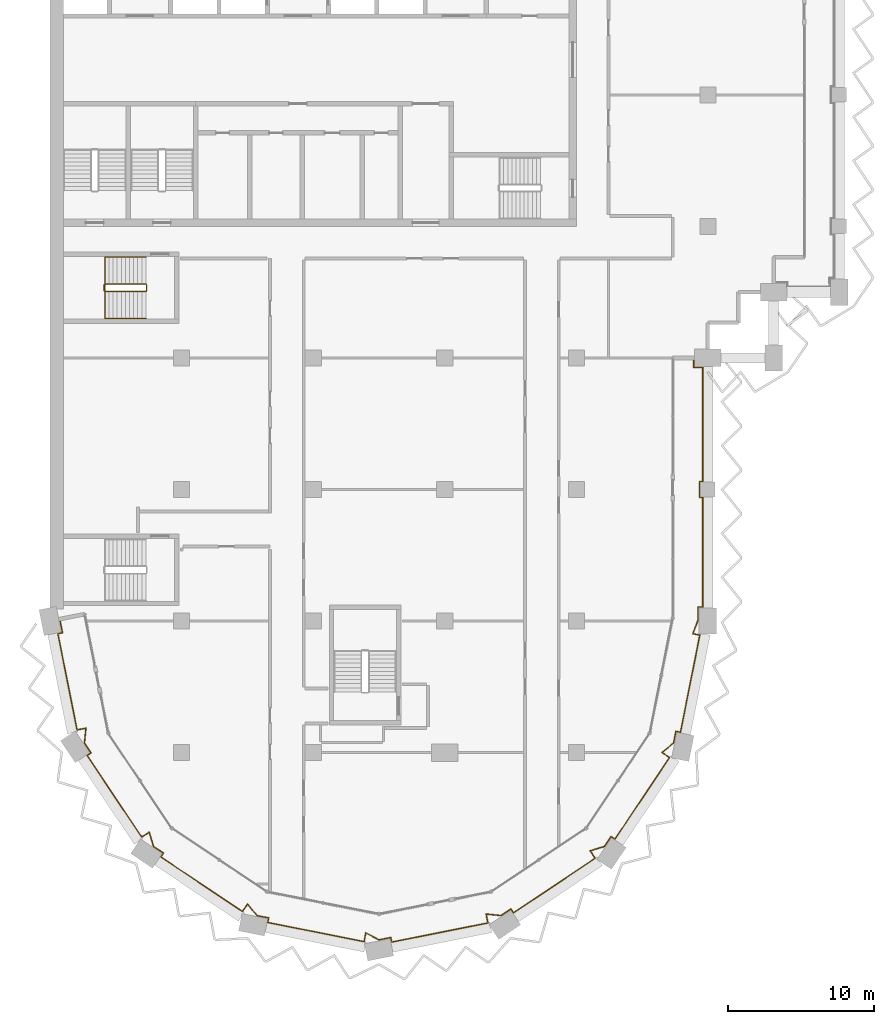
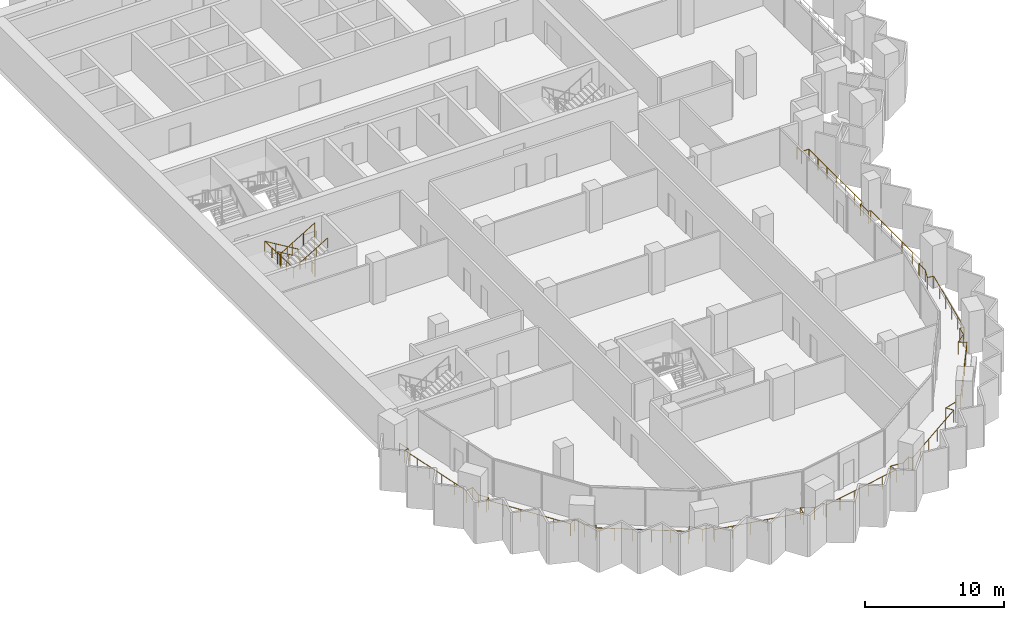
# One storey, part 15 of 17: 3 railings.
"""IFC4 building model written with IfcOpenShell, lengths in metres."""

from ifc_helpers import new_model, si_unit, direction, frame, origin, origin_2d, place, context, subcontext, project, spatial, circle, extrude, material, type_object, element, save


model = new_model("IFC4")

# Units and contexts
model_context = context("Model", 3, precision=1e-05, world=origin(), true_north=direction((0.0, 1.0)))
body_context = subcontext(model_context, "Body", "Model", "MODEL_VIEW")
ifc_project = project(units=[si_unit("LENGTHUNIT", "METRE"), si_unit("AREAUNIT", "SQUARE_METRE"), si_unit("VOLUMEUNIT", "CUBIC_METRE"), si_unit("PLANEANGLEUNIT", "RADIAN"), si_unit("MASSUNIT", "GRAM", prefix="KILO")], contexts=[model_context])

# Site, building, storey
site_placement = place(None, origin())
site = spatial("IfcSite", under=ifc_project, at=site_placement, CompositionType="ELEMENT")
building_placement = place(site_placement, origin())
building = spatial("IfcBuilding", under=site, at=building_placement, Name="Hunhe Ridgeline Campus", CompositionType="ELEMENT")
storey_placement = place(building_placement, frame((0.0, 0.0, 186.5)))
storey = spatial("IfcBuildingStorey", under=building, at=storey_placement, Name="L47", CompositionType="ELEMENT", Elevation=186.5)

# Railings
ifc_material_1 = material(Name="Steel Q355", Category="steel")
railing_type_1 = type_object("IfcRailingType", Name="Loggia guard 1100 Steel Q355", PredefinedType="GUARDRAIL", material=ifc_material_1)
railing_1_placement = place(storey_placement, frame((0.6572265625, 36.130615234375, 0.0)))
element("IfcRailing", 1, at=railing_1_placement, inside=storey, type_object=railing_type_1, Name="Loggia guard 1", PredefinedType="GUARDRAIL", context=body_context, shape_type="SweptSolid", body=[
    extrude(circle(Radius=0.02392578125, at=origin_2d()), frame((0.0, 0.0, 1.076171875), z_axis=(0.195078060519, -0.980787719287, 0.0), x_axis=(0.980787719287, 0.195078060519, 0.0)), (0.0, 0.0, 1.0), 0.949951171875),
    extrude(circle(Radius=0.02392578125, at=origin_2d()), frame((0.185302734375, -0.931640625, 1.076171875), z_axis=(-0.980756274917, -0.195236085831, 0.0), x_axis=(0.195236085831, -0.980756274917, 0.0)), (0.0, 0.0, 1.0), 0.320068359375),
    extrude(circle(Radius=0.02392578125, at=origin_2d()), frame((-0.128662109375, -0.994140625, 1.076171875), z_axis=(0.195081688297, -0.980786997717, 0.0), x_axis=(0.980786997717, 0.195081688297, 0.0)), (0.0, 0.0, 1.0), 6.718017578125),
    extrude(circle(Radius=0.02392578125, at=origin_2d()), frame((1.181884765625, -7.5830078125, 1.076171875), z_axis=(0.980747227858, 0.195281527671, 0.0), x_axis=(-0.195281527671, 0.980747227858, 0.0)), (0.0, 0.0, 1.0), 0.618896484375),
    extrude(circle(Radius=0.02392578125, at=origin_2d()), frame((1.788818359375, -7.462158203125, 1.076171875), z_axis=(-0.100047453171, -0.99498266674, 0.0), x_axis=(0.99498266674, -0.100047453171, 0.0)), (0.0, 0.0, 1.0), 1.0224609375),
    extrude(circle(Radius=0.02392578125, at=origin_2d()), frame((1.6865234375, -8.4794921875, 1.076171875), z_axis=(0.555596479569, -0.83145207432, 0.0), x_axis=(0.83145207432, 0.555596479569, 0.0)), (0.0, 0.0, 1.0), 0.81689453125),
    extrude(circle(Radius=0.02392578125, at=origin_2d()), frame((2.140380859375, -9.15869140625, 1.076171875), z_axis=(-0.831580508376, -0.555404229448, 0.0), x_axis=(0.555404229448, -0.831580508376, 0.0)), (0.0, 0.0, 1.0), 0.320068359375),
    extrude(circle(Radius=0.02392578125, at=origin_2d()), frame((1.874267578125, -9.33642578125, 1.076171875), z_axis=(0.555588848626, -0.831457173451, 0.0), x_axis=(0.831457173451, 0.555588848626, 0.0)), (0.0, 0.0, 1.0), 6.718017578125),
    extrude(circle(Radius=0.02392578125, at=origin_2d()), frame((5.606689453125, -14.922119140625, 1.076171875), z_axis=(0.831442704119, 0.555610501851, 0.0), x_axis=(-0.555610501851, 0.831442704119, 0.0)), (0.0, 0.0, 1.0), 0.61865234375),
    extrude(circle(Radius=0.02392578125, at=origin_2d()), frame((6.12109375, -14.578369140625, 1.076171875), z_axis=(0.28844300651, -0.957497066312, 0.0), x_axis=(0.957497066312, 0.28844300651, 0.0)), (0.0, 0.0, 1.0), 1.0224609375),
    extrude(circle(Radius=0.02392578125, at=origin_2d()), frame((6.416015625, -15.557373046875, 1.076171875), z_axis=(0.831359782977, -0.55573456906, 0.0), x_axis=(0.55573456906, 0.831359782977, 0.0)), (0.0, 0.0, 1.0), 0.816650390625),
    extrude(circle(Radius=0.02392578125, at=origin_2d()), frame((7.094970703125, -16.01123046875, 1.076171875), z_axis=(-0.555404229448, -0.831580508376, 0.0), x_axis=(0.831580508376, -0.555404229448, 0.0)), (0.0, 0.0, 1.0), 0.320068359375),
    extrude(circle(Radius=0.02392578125, at=origin_2d()), frame((6.917236328125, -16.27734375, 1.076171875), z_axis=(0.831473961305, -0.555563724222, 0.0), x_axis=(0.555563724222, 0.831473961305, 0.0)), (0.0, 0.0, 1.0), 6.7177734375),
    extrude(circle(Radius=0.02392578125, at=origin_2d()), frame((12.5029296875, -20.009521484375, 1.076171875), z_axis=(0.555610501851, 0.831442704119, 0.0), x_axis=(-0.831442704119, 0.555610501851, 0.0)), (0.0, 0.0, 1.0), 0.61865234375),
    extrude(circle(Radius=0.02392578125, at=origin_2d()), frame((12.8466796875, -19.4951171875, 1.076171875), z_axis=(0.63289971186, -0.774233785576, 0.0), x_axis=(0.774233785576, 0.63289971186, 0.0)), (0.0, 0.0, 1.0), 1.022705078125),
    extrude(circle(Radius=0.02392578125, at=origin_2d()), frame((13.493896484375, -20.286865234375, 1.076171875), z_axis=(0.980821383877, -0.194908729743, 0.0), x_axis=(0.194908729743, 0.980821383877, 0.0)), (0.0, 0.0, 1.0), 0.816650390625),
    extrude(circle(Radius=0.02392578125, at=origin_2d()), frame((14.294921875, -20.446044921875, 1.076171875), z_axis=(-0.195236085831, -0.980756274917, 0.0), x_axis=(0.980756274917, -0.195236085831, 0.0)), (0.0, 0.0, 1.0), 0.320068359375),
    extrude(circle(Radius=0.02392578125, at=origin_2d()), frame((14.232421875, -20.760009765625, 1.076171875), z_axis=(0.980786997717, -0.195081688297, 0.0), x_axis=(0.195081688297, 0.980786997717, 0.0)), (0.0, 0.0, 1.0), 6.718017578125),
    extrude(circle(Radius=0.02392578125, at=origin_2d()), frame((20.8212890625, -22.070556640625, 1.076171875), z_axis=(0.194902020226, 0.980822717168, 0.0), x_axis=(-0.980822717168, 0.194902020226, 0.0)), (0.0, 0.0, 1.0), 0.618896484375),
    extrude(circle(Radius=0.02392578125, at=origin_2d()), frame((20.94189453125, -21.463623046875, 1.076171875), z_axis=(0.880961256043, -0.473188403652, 0.0), x_axis=(0.473188403652, 0.880961256043, 0.0)), (0.0, 0.0, 1.0), 1.022705078125),
    extrude(circle(Radius=0.02392578125, at=origin_2d()), frame((21.8427734375, -21.947509765625, 1.076171875), z_axis=(0.980764196543, 0.195196287822, 0.0), x_axis=(-0.195196287822, 0.980764196543, 0.0)), (0.0, 0.0, 1.0), 0.816650390625),
    extrude(circle(Radius=0.02392578125, at=origin_2d()), frame((22.643798828125, -21.7880859375, 1.076171875), z_axis=(0.195236085831, -0.980756274917, 0.0), x_axis=(0.980756274917, 0.195236085831, 0.0)), (0.0, 0.0, 1.0), 0.320068359375),
    extrude(circle(Radius=0.02392578125, at=origin_2d()), frame((22.706298828125, -22.10205078125, 1.076171875), z_axis=(0.980786997717, 0.195081688297, 0.0), x_axis=(-0.195081688297, 0.980786997717, 0.0)), (0.0, 0.0, 1.0), 6.718017578125),
    extrude(circle(Radius=0.02392578125, at=origin_2d()), frame((29.295166015625, -20.79150390625, 1.076171875), z_axis=(-0.195281527671, 0.980747227858, 0.0), x_axis=(-0.980747227858, -0.195281527671, 0.0)), (0.0, 0.0, 1.0), 0.618896484375),
    extrude(circle(Radius=0.02392578125, at=origin_2d()), frame((29.17431640625, -20.1845703125, 1.076171875), z_axis=(0.99498266674, -0.100047453171, 0.0), x_axis=(0.100047453171, 0.99498266674, 0.0)), (0.0, 0.0, 1.0), 1.0224609375),
    extrude(circle(Radius=0.02392578125, at=origin_2d()), frame((30.191650390625, -20.286865234375, 1.076171875), z_axis=(0.83145207432, 0.555596479569, 0.0), x_axis=(-0.555596479569, 0.83145207432, 0.0)), (0.0, 0.0, 1.0), 0.81689453125),
    extrude(circle(Radius=0.02392578125, at=origin_2d()), frame((30.870849609375, -19.8330078125, 1.076171875), z_axis=(0.555404229448, -0.831580508376, 0.0), x_axis=(0.831580508376, 0.555404229448, 0.0)), (0.0, 0.0, 1.0), 0.320068359375),
    extrude(circle(Radius=0.02392578125, at=origin_2d()), frame((31.048583984375, -20.09912109375, 1.076171875), z_axis=(0.831457173451, 0.555588848626, 0.0), x_axis=(-0.555588848626, 0.831457173451, 0.0)), (0.0, 0.0, 1.0), 6.718017578125),
    extrude(circle(Radius=0.02392578125, at=origin_2d()), frame((36.63427734375, -16.36669921875, 1.076171875), z_axis=(-0.555610501851, 0.831442704119, 0.0), x_axis=(-0.831442704119, -0.555610501851, 0.0)), (0.0, 0.0, 1.0), 0.61865234375),
    extrude(circle(Radius=0.02392578125, at=origin_2d()), frame((36.29052734375, -15.852294921875, 1.076171875), z_axis=(0.957497066312, 0.28844300651, 0.0), x_axis=(-0.28844300651, 0.957497066312, 0.0)), (0.0, 0.0, 1.0), 1.0224609375),
    extrude(circle(Radius=0.02392578125, at=origin_2d()), frame((37.26953125, -15.557373046875, 1.076171875), z_axis=(0.55573456906, 0.831359782977, 0.0), x_axis=(-0.831359782977, 0.55573456906, 0.0)), (0.0, 0.0, 1.0), 0.816650390625),
    extrude(circle(Radius=0.02392578125, at=origin_2d()), frame((37.723388671875, -14.87841796875, 1.076171875), z_axis=(0.831580508376, -0.555404229448, 0.0), x_axis=(0.555404229448, 0.831580508376, 0.0)), (0.0, 0.0, 1.0), 0.320068359375),
    extrude(circle(Radius=0.02392578125, at=origin_2d()), frame((37.989501953125, -15.05615234375, 1.076171875), z_axis=(0.555563724222, 0.831473961305, 0.0), x_axis=(-0.831473961305, 0.555563724222, 0.0)), (0.0, 0.0, 1.0), 6.7177734375),
    extrude(circle(Radius=0.02392578125, at=origin_2d()), frame((41.7216796875, -9.470458984375, 1.076171875), z_axis=(-0.831442704119, 0.555610501851, 0.0), x_axis=(-0.555610501851, -0.831442704119, 0.0)), (0.0, 0.0, 1.0), 0.61865234375),
    extrude(circle(Radius=0.02392578125, at=origin_2d()), frame((41.207275390625, -9.126708984375, 1.076171875), z_axis=(0.774233785576, 0.63289971186, 0.0), x_axis=(-0.63289971186, 0.774233785576, 0.0)), (0.0, 0.0, 1.0), 1.022705078125),
    extrude(circle(Radius=0.02392578125, at=origin_2d()), frame((41.9990234375, -8.4794921875, 1.076171875), z_axis=(0.194908729743, 0.980821383877, 0.0), x_axis=(-0.980821383877, 0.194908729743, 0.0)), (0.0, 0.0, 1.0), 0.816650390625),
    extrude(circle(Radius=0.02392578125, at=origin_2d()), frame((42.158203125, -7.678466796875, 1.076171875), z_axis=(0.980756274917, -0.195236085831, 0.0), x_axis=(0.195236085831, 0.980756274917, 0.0)), (0.0, 0.0, 1.0), 0.320068359375),
    extrude(circle(Radius=0.02392578125, at=origin_2d()), frame((42.47216796875, -7.740966796875, 1.076171875), z_axis=(0.195084106665, 0.980786516693, 0.0), x_axis=(-0.980786516693, 0.195084106665, 0.0)), (0.0, 0.0, 1.0), 6.779296875),
    extrude(circle(Radius=0.02392578125, at=origin_2d()), frame((43.794677734375, -1.092041015625, 1.076171875), z_axis=(-0.980754922768, 0.195242878144, 0.0), x_axis=(-0.195242878144, -0.980754922768, 0.0)), (0.0, 0.0, 1.0), 0.48388671875),
    extrude(circle(Radius=0.02392578125, at=origin_2d()), frame((43.320068359375, -0.99755859375, 1.076171875), z_axis=(0.353724256779, 0.93534974751, 0.0), x_axis=(-0.93534974751, 0.353724256779, 0.0)), (0.0, 0.0, 1.0), 0.997314453125),
    extrude(circle(Radius=0.02392578125, at=origin_2d()), frame((43.6728515625, -0.064697265625, 1.076171875), z_axis=(0.0, 1.0, 0.0), x_axis=(-1.0, 0.0, 0.0)), (0.0, 0.0, 1.0), 0.884033203125),
    extrude(circle(Radius=0.02392578125, at=origin_2d()), frame((43.6728515625, 0.8193359375, 1.076171875), z_axis=(1.0, 0.0, 0.0), x_axis=(0.0, 1.0, 0.0)), (0.0, 0.0, 1.0), 0.31982421875),
    extrude(circle(Radius=0.02392578125, at=origin_2d()), frame((43.99267578125, 0.8193359375, 1.076171875), z_axis=(0.0, 1.0, 0.0), x_axis=(-1.0, 0.0, 0.0)), (0.0, 0.0, 1.0), 7.5),
    extrude(circle(Radius=0.02392578125, at=origin_2d()), frame((43.99267578125, 8.3193359375, 1.076171875), z_axis=(-1.0, 0.0, 0.0), x_axis=(0.0, -1.0, 0.0)), (0.0, 0.0, 1.0), 0.219970703125),
    extrude(circle(Radius=0.02392578125, at=origin_2d()), frame((43.772705078125, 8.3193359375, 1.076171875), z_axis=(0.0, 1.0, 0.0), x_axis=(-1.0, 0.0, 0.0)), (0.0, 0.0, 1.0), 1.10009765625),
    extrude(circle(Radius=0.02392578125, at=origin_2d()), frame((43.772705078125, 9.41943359375, 1.076171875), z_axis=(1.0, 0.0, 0.0), x_axis=(0.0, 1.0, 0.0)), (0.0, 0.0, 1.0), 0.219970703125),
    extrude(circle(Radius=0.02392578125, at=origin_2d()), frame((43.99267578125, 9.41943359375, 1.076171875), z_axis=(0.0, 1.0, 0.0), x_axis=(-1.0, 0.0, 0.0)), (0.0, 0.0, 1.0), 7.800048828125),
    extrude(circle(Radius=0.02392578125, at=origin_2d()), frame((43.99267578125, 17.219482421875, 1.076171875), z_axis=(-1.0, 0.0, 0.0), x_axis=(0.0, -1.0, 0.0)), (0.0, 0.0, 1.0), 0.619873046875),
    extrude(circle(Radius=0.02392578125, at=origin_2d()), frame((43.372802734375, 17.219482421875, 1.076171875), z_axis=(0.0, 1.0, 0.0), x_axis=(-1.0, 0.0, 0.0)), (0.0, 0.0, 1.0), 0.64990234375),
    extrude(circle(Radius=0.02099609375, at=origin_2d()), origin(), (0.0, 0.0, 1.0), 1.052001953125),
    extrude(circle(Radius=0.02099609375, at=origin_2d()), frame((0.185302734375, -0.931640625, 0.0)), (0.0, 0.0, 1.0), 1.052001953125),
    extrude(circle(Radius=0.02099609375, at=origin_2d()), frame((-0.128662109375, -0.994140625, 0.0)), (0.0, 0.0, 1.0), 1.052001953125),
    extrude(circle(Radius=0.02099609375, at=origin_2d()), frame((0.133544921875, -2.31201171875, 0.0)), (0.0, 0.0, 1.0), 1.052001953125),
    extrude(circle(Radius=0.02099609375, at=origin_2d()), frame((0.3955078125, -3.629638671875, 0.0)), (0.0, 0.0, 1.0), 1.052001953125),
    extrude(circle(Radius=0.02099609375, at=origin_2d()), frame((0.65771484375, -4.947509765625, 0.0)), (0.0, 0.0, 1.0), 1.052001953125),
    extrude(circle(Radius=0.02099609375, at=origin_2d()), frame((0.919677734375, -6.26513671875, 0.0)), (0.0, 0.0, 1.0), 1.052001953125),
    extrude(circle(Radius=0.02099609375, at=origin_2d()), frame((1.181884765625, -7.5830078125, 0.0)), (0.0, 0.0, 1.0), 1.052001953125),
    extrude(circle(Radius=0.02099609375, at=origin_2d()), frame((1.788818359375, -7.462158203125, 0.0)), (0.0, 0.0, 1.0), 1.052001953125),
    extrude(circle(Radius=0.02099609375, at=origin_2d()), frame((1.6865234375, -8.4794921875, 0.0)), (0.0, 0.0, 1.0), 1.052001953125),
    extrude(circle(Radius=0.02099609375, at=origin_2d()), frame((2.140380859375, -9.15869140625, 0.0)), (0.0, 0.0, 1.0), 1.052001953125),
    extrude(circle(Radius=0.02099609375, at=origin_2d()), frame((1.874267578125, -9.33642578125, 0.0)), (0.0, 0.0, 1.0), 1.052001953125),
    extrude(circle(Radius=0.02099609375, at=origin_2d()), frame((2.620849609375, -10.45361328125, 0.0)), (0.0, 0.0, 1.0), 1.052001953125),
    extrude(circle(Radius=0.02099609375, at=origin_2d()), frame((3.3671875, -11.57080078125, 0.0)), (0.0, 0.0, 1.0), 1.052001953125),
    extrude(circle(Radius=0.02099609375, at=origin_2d()), frame((4.11376953125, -12.687744140625, 0.0)), (0.0, 0.0, 1.0), 1.052001953125),
    extrude(circle(Radius=0.02099609375, at=origin_2d()), frame((4.860107421875, -13.804931640625, 0.0)), (0.0, 0.0, 1.0), 1.052001953125),
    extrude(circle(Radius=0.02099609375, at=origin_2d()), frame((5.606689453125, -14.922119140625, 0.0)), (0.0, 0.0, 1.0), 1.052001953125),
    extrude(circle(Radius=0.02099609375, at=origin_2d()), frame((6.12109375, -14.578369140625, 0.0)), (0.0, 0.0, 1.0), 1.052001953125),
    extrude(circle(Radius=0.02099609375, at=origin_2d()), frame((6.416015625, -15.557373046875, 0.0)), (0.0, 0.0, 1.0), 1.052001953125),
    extrude(circle(Radius=0.02099609375, at=origin_2d()), frame((7.094970703125, -16.01123046875, 0.0)), (0.0, 0.0, 1.0), 1.052001953125),
    extrude(circle(Radius=0.02099609375, at=origin_2d()), frame((6.917236328125, -16.27734375, 0.0)), (0.0, 0.0, 1.0), 1.052001953125),
    extrude(circle(Radius=0.02099609375, at=origin_2d()), frame((8.034423828125, -17.023681640625, 0.0)), (0.0, 0.0, 1.0), 1.052001953125),
    extrude(circle(Radius=0.02099609375, at=origin_2d()), frame((9.151611328125, -17.770263671875, 0.0)), (0.0, 0.0, 1.0), 1.052001953125),
    extrude(circle(Radius=0.02099609375, at=origin_2d()), frame((10.2685546875, -18.5166015625, 0.0)), (0.0, 0.0, 1.0), 1.052001953125),
    extrude(circle(Radius=0.02099609375, at=origin_2d()), frame((11.3857421875, -19.26318359375, 0.0)), (0.0, 0.0, 1.0), 1.052001953125),
    extrude(circle(Radius=0.02099609375, at=origin_2d()), frame((12.5029296875, -20.009521484375, 0.0)), (0.0, 0.0, 1.0), 1.052001953125),
    extrude(circle(Radius=0.02099609375, at=origin_2d()), frame((12.8466796875, -19.4951171875, 0.0)), (0.0, 0.0, 1.0), 1.052001953125),
    extrude(circle(Radius=0.02099609375, at=origin_2d()), frame((13.493896484375, -20.286865234375, 0.0)), (0.0, 0.0, 1.0), 1.052001953125),
    extrude(circle(Radius=0.02099609375, at=origin_2d()), frame((14.294921875, -20.446044921875, 0.0)), (0.0, 0.0, 1.0), 1.052001953125),
    extrude(circle(Radius=0.02099609375, at=origin_2d()), frame((14.232421875, -20.760009765625, 0.0)), (0.0, 0.0, 1.0), 1.052001953125),
    extrude(circle(Radius=0.02099609375, at=origin_2d()), frame((15.55029296875, -21.022216796875, 0.0)), (0.0, 0.0, 1.0), 1.052001953125),
    extrude(circle(Radius=0.02099609375, at=origin_2d()), frame((16.867919921875, -21.2841796875, 0.0)), (0.0, 0.0, 1.0), 1.052001953125),
    extrude(circle(Radius=0.02099609375, at=origin_2d()), frame((18.185791015625, -21.54638671875, 0.0)), (0.0, 0.0, 1.0), 1.052001953125),
    extrude(circle(Radius=0.02099609375, at=origin_2d()), frame((19.50341796875, -21.808349609375, 0.0)), (0.0, 0.0, 1.0), 1.052001953125),
    extrude(circle(Radius=0.02099609375, at=origin_2d()), frame((20.8212890625, -22.070556640625, 0.0)), (0.0, 0.0, 1.0), 1.052001953125),
    extrude(circle(Radius=0.02099609375, at=origin_2d()), frame((20.94189453125, -21.463623046875, 0.0)), (0.0, 0.0, 1.0), 1.052001953125),
    extrude(circle(Radius=0.02099609375, at=origin_2d()), frame((21.8427734375, -21.947509765625, 0.0)), (0.0, 0.0, 1.0), 1.052001953125),
    extrude(circle(Radius=0.02099609375, at=origin_2d()), frame((22.643798828125, -21.7880859375, 0.0)), (0.0, 0.0, 1.0), 1.052001953125),
    extrude(circle(Radius=0.02099609375, at=origin_2d()), frame((22.706298828125, -22.10205078125, 0.0)), (0.0, 0.0, 1.0), 1.052001953125),
    extrude(circle(Radius=0.02099609375, at=origin_2d()), frame((24.024169921875, -21.83984375, 0.0)), (0.0, 0.0, 1.0), 1.052001953125),
    extrude(circle(Radius=0.02099609375, at=origin_2d()), frame((25.341796875, -21.577880859375, 0.0)), (0.0, 0.0, 1.0), 1.052001953125),
    extrude(circle(Radius=0.02099609375, at=origin_2d()), frame((26.65966796875, -21.315673828125, 0.0)), (0.0, 0.0, 1.0), 1.052001953125),
    extrude(circle(Radius=0.02099609375, at=origin_2d()), frame((27.977294921875, -21.0537109375, 0.0)), (0.0, 0.0, 1.0), 1.052001953125),
    extrude(circle(Radius=0.02099609375, at=origin_2d()), frame((29.295166015625, -20.79150390625, 0.0)), (0.0, 0.0, 1.0), 1.052001953125),
    extrude(circle(Radius=0.02099609375, at=origin_2d()), frame((29.17431640625, -20.1845703125, 0.0)), (0.0, 0.0, 1.0), 1.052001953125),
    extrude(circle(Radius=0.02099609375, at=origin_2d()), frame((30.191650390625, -20.286865234375, 0.0)), (0.0, 0.0, 1.0), 1.052001953125),
    extrude(circle(Radius=0.02099609375, at=origin_2d()), frame((30.870849609375, -19.8330078125, 0.0)), (0.0, 0.0, 1.0), 1.052001953125),
    extrude(circle(Radius=0.02099609375, at=origin_2d()), frame((31.048583984375, -20.09912109375, 0.0)), (0.0, 0.0, 1.0), 1.052001953125),
    extrude(circle(Radius=0.02099609375, at=origin_2d()), frame((32.165771484375, -19.3525390625, 0.0)), (0.0, 0.0, 1.0), 1.052001953125),
    extrude(circle(Radius=0.02099609375, at=origin_2d()), frame((33.282958984375, -18.606201171875, 0.0)), (0.0, 0.0, 1.0), 1.052001953125),
    extrude(circle(Radius=0.02099609375, at=origin_2d()), frame((34.39990234375, -17.859619140625, 0.0)), (0.0, 0.0, 1.0), 1.052001953125),
    extrude(circle(Radius=0.02099609375, at=origin_2d()), frame((35.51708984375, -17.11328125, 0.0)), (0.0, 0.0, 1.0), 1.052001953125),
    extrude(circle(Radius=0.02099609375, at=origin_2d()), frame((36.63427734375, -16.36669921875, 0.0)), (0.0, 0.0, 1.0), 1.052001953125),
    extrude(circle(Radius=0.02099609375, at=origin_2d()), frame((36.29052734375, -15.852294921875, 0.0)), (0.0, 0.0, 1.0), 1.052001953125),
    extrude(circle(Radius=0.02099609375, at=origin_2d()), frame((37.26953125, -15.557373046875, 0.0)), (0.0, 0.0, 1.0), 1.052001953125),
    extrude(circle(Radius=0.02099609375, at=origin_2d()), frame((37.723388671875, -14.87841796875, 0.0)), (0.0, 0.0, 1.0), 1.052001953125),
    extrude(circle(Radius=0.02099609375, at=origin_2d()), frame((37.989501953125, -15.05615234375, 0.0)), (0.0, 0.0, 1.0), 1.052001953125),
    extrude(circle(Radius=0.02099609375, at=origin_2d()), frame((38.73583984375, -13.93896484375, 0.0)), (0.0, 0.0, 1.0), 1.052001953125),
    extrude(circle(Radius=0.02099609375, at=origin_2d()), frame((39.482421875, -12.82177734375, 0.0)), (0.0, 0.0, 1.0), 1.052001953125),
    extrude(circle(Radius=0.02099609375, at=origin_2d()), frame((40.228759765625, -11.704833984375, 0.0)), (0.0, 0.0, 1.0), 1.052001953125),
    extrude(circle(Radius=0.02099609375, at=origin_2d()), frame((40.975341796875, -10.587646484375, 0.0)), (0.0, 0.0, 1.0), 1.052001953125),
    extrude(circle(Radius=0.02099609375, at=origin_2d()), frame((41.7216796875, -9.470458984375, 0.0)), (0.0, 0.0, 1.0), 1.052001953125),
    extrude(circle(Radius=0.02099609375, at=origin_2d()), frame((41.207275390625, -9.126708984375, 0.0)), (0.0, 0.0, 1.0), 1.052001953125),
    extrude(circle(Radius=0.02099609375, at=origin_2d()), frame((41.9990234375, -8.4794921875, 0.0)), (0.0, 0.0, 1.0), 1.052001953125),
    extrude(circle(Radius=0.02099609375, at=origin_2d()), frame((42.158203125, -7.678466796875, 0.0)), (0.0, 0.0, 1.0), 1.052001953125),
    extrude(circle(Radius=0.02099609375, at=origin_2d()), frame((42.47216796875, -7.740966796875, 0.0)), (0.0, 0.0, 1.0), 1.052001953125),
    extrude(circle(Radius=0.02099609375, at=origin_2d()), frame((42.736572265625, -6.4111328125, 0.0)), (0.0, 0.0, 1.0), 1.052001953125),
    extrude(circle(Radius=0.02099609375, at=origin_2d()), frame((43.001220703125, -5.081298828125, 0.0)), (0.0, 0.0, 1.0), 1.052001953125),
    extrude(circle(Radius=0.02099609375, at=origin_2d()), frame((43.265625, -3.751708984375, 0.0)), (0.0, 0.0, 1.0), 1.052001953125),
    extrude(circle(Radius=0.02099609375, at=origin_2d()), frame((43.5302734375, -2.421875, 0.0)), (0.0, 0.0, 1.0), 1.052001953125),
    extrude(circle(Radius=0.02099609375, at=origin_2d()), frame((43.794677734375, -1.092041015625, 0.0)), (0.0, 0.0, 1.0), 1.052001953125),
    extrude(circle(Radius=0.02099609375, at=origin_2d()), frame((43.320068359375, -0.99755859375, 0.0)), (0.0, 0.0, 1.0), 1.052001953125),
    extrude(circle(Radius=0.02099609375, at=origin_2d()), frame((43.6728515625, -0.064697265625, 0.0)), (0.0, 0.0, 1.0), 1.052001953125),
    extrude(circle(Radius=0.02099609375, at=origin_2d()), frame((43.6728515625, 0.8193359375, 0.0)), (0.0, 0.0, 1.0), 1.052001953125),
    extrude(circle(Radius=0.02099609375, at=origin_2d()), frame((43.99267578125, 0.8193359375, 0.0)), (0.0, 0.0, 1.0), 1.052001953125),
    extrude(circle(Radius=0.02099609375, at=origin_2d()), frame((43.99267578125, 2.3193359375, 0.0)), (0.0, 0.0, 1.0), 1.052001953125),
    extrude(circle(Radius=0.02099609375, at=origin_2d()), frame((43.99267578125, 3.8193359375, 0.0)), (0.0, 0.0, 1.0), 1.052001953125),
    extrude(circle(Radius=0.02099609375, at=origin_2d()), frame((43.99267578125, 5.3193359375, 0.0)), (0.0, 0.0, 1.0), 1.052001953125),
    extrude(circle(Radius=0.02099609375, at=origin_2d()), frame((43.99267578125, 6.8193359375, 0.0)), (0.0, 0.0, 1.0), 1.052001953125),
    extrude(circle(Radius=0.02099609375, at=origin_2d()), frame((43.99267578125, 8.3193359375, 0.0)), (0.0, 0.0, 1.0), 1.052001953125),
    extrude(circle(Radius=0.02099609375, at=origin_2d()), frame((43.772705078125, 8.3193359375, 0.0)), (0.0, 0.0, 1.0), 1.052001953125),
    extrude(circle(Radius=0.02099609375, at=origin_2d()), frame((43.772705078125, 9.41943359375, 0.0)), (0.0, 0.0, 1.0), 1.052001953125),
    extrude(circle(Radius=0.02099609375, at=origin_2d()), frame((43.99267578125, 9.41943359375, 0.0)), (0.0, 0.0, 1.0), 1.052001953125),
    extrude(circle(Radius=0.02099609375, at=origin_2d()), frame((43.99267578125, 10.719482421875, 0.0)), (0.0, 0.0, 1.0), 1.052001953125),
    extrude(circle(Radius=0.02099609375, at=origin_2d()), frame((43.99267578125, 12.01953125, 0.0)), (0.0, 0.0, 1.0), 1.052001953125),
    extrude(circle(Radius=0.02099609375, at=origin_2d()), frame((43.99267578125, 13.3193359375, 0.0)), (0.0, 0.0, 1.0), 1.052001953125),
    extrude(circle(Radius=0.02099609375, at=origin_2d()), frame((43.99267578125, 14.619384765625, 0.0)), (0.0, 0.0, 1.0), 1.052001953125),
    extrude(circle(Radius=0.02099609375, at=origin_2d()), frame((43.99267578125, 15.91943359375, 0.0)), (0.0, 0.0, 1.0), 1.052001953125),
    extrude(circle(Radius=0.02099609375, at=origin_2d()), frame((43.99267578125, 17.219482421875, 0.0)), (0.0, 0.0, 1.0), 1.052001953125),
    extrude(circle(Radius=0.02099609375, at=origin_2d()), frame((43.372802734375, 17.219482421875, 0.0)), (0.0, 0.0, 1.0), 1.052001953125),
    extrude(circle(Radius=0.02099609375, at=origin_2d()), frame((43.372802734375, 17.869384765625, 0.0)), (0.0, 0.0, 1.0), 1.052001953125),
])
ifc_material_2 = material(Name="Stainless steel balustrade", Category="steel")
railing_type_2 = type_object("IfcRailingType", Name="Stair guard 1100 stainless", PredefinedType="GUARDRAIL", material=ifc_material_2)
railing_2_placement = place(storey_placement, frame((6.550048828125, 59.050048828125, 0.168212890625)))
element("IfcRailing", 2, at=railing_2_placement, inside=storey, type_object=railing_type_2, Name="L47 stair W2 guard", PredefinedType="GUARDRAIL", context=body_context, shape_type="SweptSolid", body=[
    extrude(circle(Radius=0.02392578125, at=origin_2d()), frame((0.0, 0.0, 1.076171875), z_axis=(-0.857242210791, 0.0, 0.514913383045), x_axis=(0.0, -1.0, 0.0)), (0.0, 0.0, 1.0), 3.266357421875),
    extrude(circle(Radius=0.02392578125, at=origin_2d()), frame((-2.800048828125, 0.0, 2.7578125), z_axis=(-0.707106781187, -0.707106781187, 0.0), x_axis=(0.707106781187, -0.707106781187, 0.0)), (0.0, 0.0, 1.0), 0.07080078125),
    extrude(circle(Radius=0.02392578125, at=origin_2d()), frame((-2.85009765625, -0.050048828125, 2.7578125), z_axis=(0.0, -1.0, 0.0), x_axis=(1.0, 0.0, 0.0)), (0.0, 0.0, 1.0), 0.39990234375),
    extrude(circle(Radius=0.02392578125, at=origin_2d()), frame((-2.85009765625, -0.449951171875, 2.7578125), z_axis=(0.274582412415, -0.274582412415, 0.921525364591), x_axis=(0.707106781187, 0.707106781187, 0.0)), (0.0, 0.0, 1.0), 0.182373046875),
    extrude(circle(Radius=0.02392578125, at=origin_2d()), frame((-2.800048828125, -0.5, 2.92578125), z_axis=(0.857242210791, 0.0, 0.514913383045), x_axis=(0.0, 1.0, 0.0)), (0.0, 0.0, 1.0), 3.266357421875),
    extrude(circle(Radius=0.02392578125, at=origin_2d()), frame((0.0, -0.5, 4.60791015625), z_axis=(0.013524414389, 0.013524414389, -0.999817073484), x_axis=(-0.707106781187, 0.707106781187, 0.0)), (0.0, 0.0, 1.0), 3.70068359375),
    extrude(circle(Radius=0.02392578125, at=origin_2d()), frame((0.050048828125, -0.449951171875, 0.90771484375), z_axis=(0.0, 1.0, 0.0), x_axis=(-1.0, 0.0, 0.0)), (0.0, 0.0, 1.0), 0.39990234375),
    extrude(circle(Radius=0.02099609375, at=origin_2d()), origin(), (0.0, 0.0, 1.0), 1.052001953125),
    extrude(circle(Radius=0.02099609375, at=origin_2d()), frame((-0.933349609375, 0.0, 0.560546875)), (0.0, 0.0, 1.0), 1.052001953125),
    extrude(circle(Radius=0.02099609375, at=origin_2d()), frame((-1.86669921875, 0.0, 1.121337890625)), (0.0, 0.0, 1.0), 1.052001953125),
    extrude(circle(Radius=0.02099609375, at=origin_2d()), frame((-2.800048828125, 0.0, 1.681884765625)), (0.0, 0.0, 1.0), 1.052001953125),
    extrude(circle(Radius=0.02099609375, at=origin_2d()), frame((-2.85009765625, -0.050048828125, 1.681884765625)), (0.0, 0.0, 1.0), 1.052001953125),
    extrude(circle(Radius=0.02099609375, at=origin_2d()), frame((-2.85009765625, -0.449951171875, 1.681884765625)), (0.0, 0.0, 1.0), 1.052001953125),
    extrude(circle(Radius=0.02099609375, at=origin_2d()), frame((-2.800048828125, -0.5, 1.849853515625)), (0.0, 0.0, 1.0), 1.052001953125),
    extrude(circle(Radius=0.02099609375, at=origin_2d()), frame((-1.86669921875, -0.5, 2.410400390625)), (0.0, 0.0, 1.0), 1.052001953125),
    extrude(circle(Radius=0.02099609375, at=origin_2d()), frame((-0.933349609375, -0.5, 2.97119140625)), (0.0, 0.0, 1.0), 1.052001953125),
    extrude(circle(Radius=0.02099609375, at=origin_2d()), frame((0.0, -0.5, 3.53173828125)), (0.0, 0.0, 1.0), 1.052001953125),
    extrude(circle(Radius=0.02099609375, at=origin_2d()), frame((0.012451171875, -0.487548828125, 2.606689453125)), (0.0, 0.0, 1.0), 1.052001953125),
    extrude(circle(Radius=0.02099609375, at=origin_2d()), frame((0.02490234375, -0.47509765625, 1.681640625)), (0.0, 0.0, 1.0), 1.052001953125),
    extrude(circle(Radius=0.02099609375, at=origin_2d()), frame((0.03759765625, -0.46240234375, 0.7568359375)), (0.0, 0.0, 1.0), 1.052001953125),
    extrude(circle(Radius=0.02099609375, at=origin_2d()), frame((0.050048828125, -0.449951171875, -0.168212890625)), (0.0, 0.0, 1.0), 1.052001953125),
    extrude(circle(Radius=0.02099609375, at=origin_2d()), frame((0.050048828125, -0.050048828125, -0.168212890625)), (0.0, 0.0, 1.0), 1.052001953125),
])
ifc_material_3 = material(Name="Stainless steel handrail", Category="steel")
railing_type_3 = type_object("IfcRailingType", Name="Stair handrail 900 stainless", PredefinedType="HANDRAIL", material=ifc_material_3)
railing_3_placement = place(storey_placement, frame((6.550048828125, 60.89990234375, 0.168212890625)))
element("IfcRailing", 3, at=railing_3_placement, inside=storey, type_object=railing_type_3, Name="L47 stair W2 handrail", PredefinedType="HANDRAIL", context=body_context, shape_type="SweptSolid", body=[
    extrude(circle(Radius=0.02392578125, at=origin_2d()), frame((0.0, 0.0, 0.8759765625), z_axis=(-0.857242210791, 0.0, 0.514913383045), x_axis=(0.0, -1.0, 0.0)), (0.0, 0.0, 1.0), 3.266357421875),
    extrude(circle(Radius=0.02392578125, at=origin_2d()), frame((-2.800048828125, 0.0, 2.5576171875), z_axis=(0.0, -0.99920123705, 0.039961079526), x_axis=(1.0, 0.0, 0.0)), (0.0, 0.0, 1.0), 4.203369140625),
    extrude(circle(Radius=0.02392578125, at=origin_2d()), frame((-2.800048828125, -4.199951171875, 2.7255859375), z_axis=(0.857242210791, 0.0, 0.514913383045), x_axis=(0.0, 1.0, 0.0)), (0.0, 0.0, 1.0), 3.266357421875),
    extrude(circle(Radius=0.02099609375, at=origin_2d()), origin(), (0.0, 0.0, 1.0), 0.851806640625),
    extrude(circle(Radius=0.02099609375, at=origin_2d()), frame((-0.933349609375, 0.0, 0.560546875)), (0.0, 0.0, 1.0), 0.851806640625),
    extrude(circle(Radius=0.02099609375, at=origin_2d()), frame((-1.86669921875, 0.0, 1.121337890625)), (0.0, 0.0, 1.0), 0.851806640625),
    extrude(circle(Radius=0.02099609375, at=origin_2d()), frame((-2.800048828125, 0.0, 1.681884765625)), (0.0, 0.0, 1.0), 0.851806640625),
    extrude(circle(Radius=0.02099609375, at=origin_2d()), frame((-2.800048828125, -1.050048828125, 1.723876953125)), (0.0, 0.0, 1.0), 0.851806640625),
    extrude(circle(Radius=0.02099609375, at=origin_2d()), frame((-2.800048828125, -2.10009765625, 1.765869140625)), (0.0, 0.0, 1.0), 0.851806640625),
    extrude(circle(Radius=0.02099609375, at=origin_2d()), frame((-2.800048828125, -3.14990234375, 1.807861328125)), (0.0, 0.0, 1.0), 0.851806640625),
    extrude(circle(Radius=0.02099609375, at=origin_2d()), frame((-2.800048828125, -4.199951171875, 1.849853515625)), (0.0, 0.0, 1.0), 0.851806640625),
    extrude(circle(Radius=0.02099609375, at=origin_2d()), frame((-1.86669921875, -4.199951171875, 2.410400390625)), (0.0, 0.0, 1.0), 0.851806640625),
    extrude(circle(Radius=0.02099609375, at=origin_2d()), frame((-0.933349609375, -4.199951171875, 2.97119140625)), (0.0, 0.0, 1.0), 0.851806640625),
    extrude(circle(Radius=0.02099609375, at=origin_2d()), frame((0.0, -4.199951171875, 3.53173828125)), (0.0, 0.0, 1.0), 0.851806640625),
])

save(model, "model.ifc")
